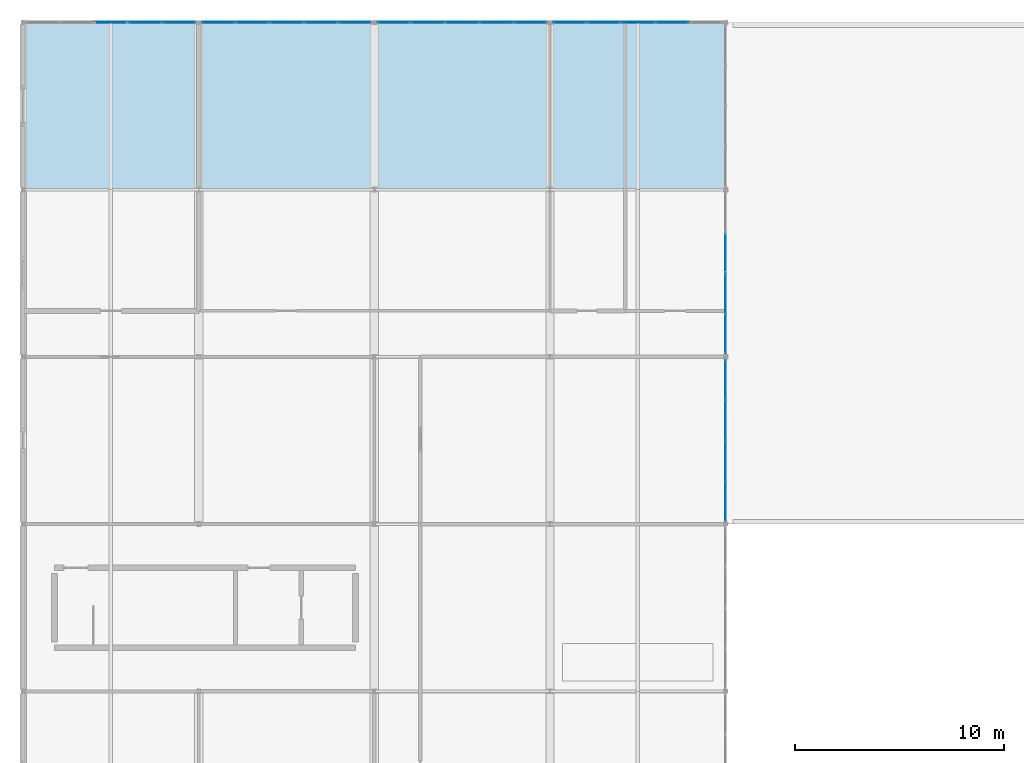
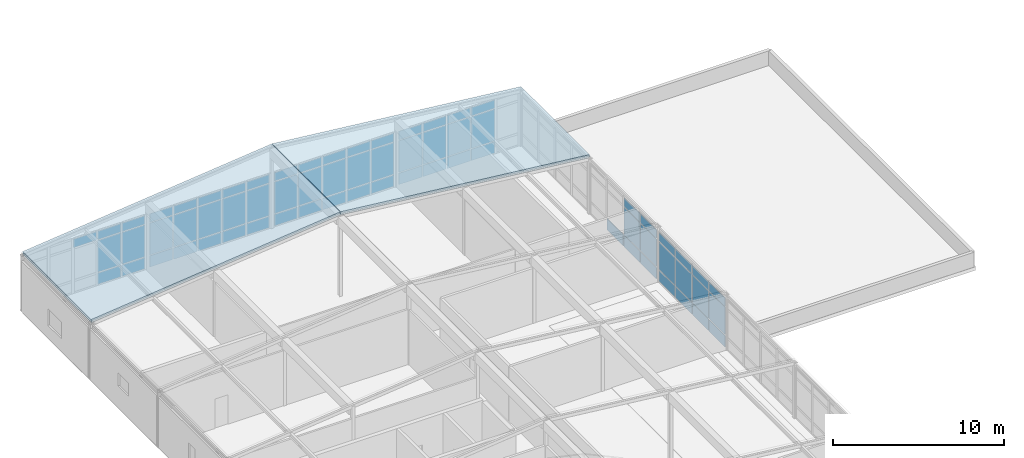
# One storey, part 16 of 25: 68 plates, 2 slabs, 6 elements without a shape of their own.
"""IFC4 building model written with IfcOpenShell, lengths in metres."""

from ifc_helpers import new_model, si_unit, direction, frame, origin, origin_2d, place, context, subcontext, project, spatial, polyline, rectangle, outline, extrude, material, layer, layer_set, type_object, element, aggregate, save


model = new_model("IFC4")

# Units and contexts
model_context = context("Model", 3, precision=1e-05, world=origin(), true_north=direction((0.0, 1.0)))
body_context = subcontext(model_context, "Body", "Model", "MODEL_VIEW")
ifc_project = project(units=[si_unit("LENGTHUNIT", "METRE"), si_unit("AREAUNIT", "SQUARE_METRE"), si_unit("VOLUMEUNIT", "CUBIC_METRE"), si_unit("PLANEANGLEUNIT", "RADIAN"), si_unit("MASSUNIT", "GRAM", prefix="KILO")], contexts=[model_context])

# Site, building, storey
site_placement = place(None, origin())
site = spatial("IfcSite", under=ifc_project, at=site_placement, CompositionType="ELEMENT")
building_placement = place(site_placement, origin())
building = spatial("IfcBuilding", under=site, at=building_placement, Name="Kranzveld Transit Interchange", CompositionType="ELEMENT")
storey_placement = place(building_placement, frame((0.0, 0.0, 21.0400390625)))
storey = spatial("IfcBuildingStorey", under=building, at=storey_placement, Name="L05", CompositionType="ELEMENT", Elevation=21.0400390625)

# Slabs
ifc_material_1 = material(Name="Concrete C35/45", Category="concrete")
ifc_layer_1 = layer(ifc_material_1, 0.239990234375)
ifc_layer_set_1 = layer_set([ifc_layer_1], Name="Concrete C35/45")
slab_type = type_object("IfcSlabType", Name="Crown Concrete Roof Slab 240 C35/45", PredefinedType="ROOF", material=ifc_layer_set_1)
slab_1_placement = place(storey_placement, frame((0.0, 104.0, 4.159912109375), z_axis=(-0.106636790815, 0.0, 0.994298041256), x_axis=(0.994298041256, 0.0, 0.106636790815)))
element("IfcSlab", 1, at=slab_1_placement, inside=storey, type_object=slab_type, Name="L05 Vaulted Crown Roof Facet P-Q W", PredefinedType="ROOF", context=body_context, shape_type="SweptSolid", body=[
    extrude(outline(polyline([(0.0, 0.0), (16.880185669159225, 0.0), (16.880185669159225, 8.000000000000002), (0.0, 8.000000000000002), (0.0, 0.0)])), origin(), (0.0, 0.0, -1.0), 0.239990234375),
])
slab_2_placement = place(storey_placement, frame((16.81591796875, 104.0, 5.9599609375), z_axis=(0.106635257328, 0.0, 0.994298205718), x_axis=(0.994298205718, 0.0, -0.106635257328)))
element("IfcSlab", 2, at=slab_2_placement, inside=storey, type_object=slab_type, Name="L05 Vaulted Crown Roof Facet P-Q E", PredefinedType="ROOF", context=body_context, shape_type="SweptSolid", body=[
    extrude(outline(polyline([(0.0, 0.0), (16.880428417724527, 0.0), (16.880428417724527, 8.0), (0.0, 8.0), (0.0, 0.0)])), origin(), (0.0, 0.0, -1.0), 0.239990234375),
])

# Curtain wall, plates
ifc_material_2 = material(Name="Bronze-anodised thermally broken aluminium", Category="aluminium")
ifc_layer_2 = layer(ifc_material_2, 0.18505859375)
ifc_layer_set_2 = layer_set([ifc_layer_2], Name="Bronze-anodised thermally broken aluminium")
curtain_wall_type = type_object("IfcCurtainWallType", Name="Control Crown Observation Facade CW-5", PredefinedType="USERDEFINED", material=ifc_layer_set_2)
curtain_wall_1_placement = place(storey_placement, origin())
curtain_wall_1 = element("IfcCurtainWall", 3, at=curtain_wall_1_placement, inside=storey, type_object=curtain_wall_type, Name="L05 Curtain Wall 05/M-05/N", ObjectType="CURTAIN WALL", PredefinedType="USERDEFINED")
ifc_material_3 = material(Name="Solar-control double glazing", Category="glass")
ifc_layer_3 = layer(ifc_material_3, 0.035888671875)
ifc_layer_set_3 = layer_set([ifc_layer_3], Name="Solar-control double glazing")
plate_type = type_object("IfcPlateType", Name="Curtain Panel Triple Glazing 36", PredefinedType="CURTAIN_PANEL", material=ifc_layer_set_3)
plate_1_placement = place(storey_placement, frame((33.60009765625, 89.08251953125, 0.06494140625), z_axis=(0.0, 0.0, 1.0), x_axis=(0.0, 1.0, 0.0)))
plate_1 = element("IfcPlate", 4, at=plate_1_placement, type_object=plate_type, Name="CW-5 panel 1.1", PredefinedType="CURTAIN_PANEL", context=body_context, shape_type="SweptSolid", body=[
    extrude(rectangle(XDim=1.85498046875, YDim=0.035888671875, at=origin_2d()), origin(), (0.0, 0.0, 1.0), 0.802490234375),
])
plate_2_placement = place(storey_placement, frame((33.60009765625, 89.08251953125, 0.932373046875), z_axis=(0.0, 0.0, 1.0), x_axis=(0.0, 1.0, 0.0)))
plate_2 = element("IfcPlate", 5, at=plate_2_placement, type_object=plate_type, Name="CW-5 panel 1.2", PredefinedType="CURTAIN_PANEL", context=body_context, shape_type="SweptSolid", body=[
    extrude(rectangle(XDim=1.85498046875, YDim=0.035888671875, at=origin_2d()), origin(), (0.0, 0.0, 1.0), 1.955078125),
])
plate_3_placement = place(storey_placement, frame((33.60009765625, 89.08251953125, 2.952392578125), z_axis=(0.0, 0.0, 1.0), x_axis=(0.0, 1.0, 0.0)))
plate_3 = element("IfcPlate", 6, at=plate_3_placement, type_object=plate_type, Name="CW-5 panel 1.3", PredefinedType="CURTAIN_PANEL", context=body_context, shape_type="SweptSolid", body=[
    extrude(rectangle(XDim=1.85498046875, YDim=0.035888671875, at=origin_2d()), origin(), (0.0, 0.0, 1.0), 0.6025390625),
])
plate_4_placement = place(storey_placement, frame((33.60009765625, 91.018798828125, 0.06494140625), z_axis=(0.0, 0.0, 1.0), x_axis=(0.0, 1.0, 0.0)))
plate_4 = element("IfcPlate", 7, at=plate_4_placement, type_object=plate_type, Name="CW-5 panel 2.1", PredefinedType="CURTAIN_PANEL", context=body_context, shape_type="SweptSolid", body=[
    extrude(rectangle(XDim=1.887451171875, YDim=0.035888671875, at=origin_2d()), origin(), (0.0, 0.0, 1.0), 0.802490234375),
])
plate_5_placement = place(storey_placement, frame((33.60009765625, 91.018798828125, 0.932373046875), z_axis=(0.0, 0.0, 1.0), x_axis=(0.0, 1.0, 0.0)))
plate_5 = element("IfcPlate", 8, at=plate_5_placement, type_object=plate_type, Name="CW-5 panel 2.2", PredefinedType="CURTAIN_PANEL", context=body_context, shape_type="SweptSolid", body=[
    extrude(rectangle(XDim=1.887451171875, YDim=0.035888671875, at=origin_2d()), origin(), (0.0, 0.0, 1.0), 1.955078125),
])
plate_6_placement = place(storey_placement, frame((33.60009765625, 91.018798828125, 2.952392578125), z_axis=(0.0, 0.0, 1.0), x_axis=(0.0, 1.0, 0.0)))
plate_6 = element("IfcPlate", 9, at=plate_6_placement, type_object=plate_type, Name="CW-5 panel 2.3", PredefinedType="CURTAIN_PANEL", context=body_context, shape_type="SweptSolid", body=[
    extrude(rectangle(XDim=1.887451171875, YDim=0.035888671875, at=origin_2d()), origin(), (0.0, 0.0, 1.0), 0.6025390625),
])
plate_7_placement = place(storey_placement, frame((33.60009765625, 92.97119140625, 0.06494140625), z_axis=(0.0, 0.0, 1.0), x_axis=(0.0, 1.0, 0.0)))
plate_7 = element("IfcPlate", 10, at=plate_7_placement, type_object=plate_type, Name="CW-5 panel 3.1", PredefinedType="CURTAIN_PANEL", context=body_context, shape_type="SweptSolid", body=[
    extrude(rectangle(XDim=1.887451171875, YDim=0.035888671875, at=origin_2d()), origin(), (0.0, 0.0, 1.0), 0.802490234375),
])
plate_8_placement = place(storey_placement, frame((33.60009765625, 92.97119140625, 0.932373046875), z_axis=(0.0, 0.0, 1.0), x_axis=(0.0, 1.0, 0.0)))
plate_8 = element("IfcPlate", 11, at=plate_8_placement, type_object=plate_type, Name="CW-5 panel 3.2", PredefinedType="CURTAIN_PANEL", context=body_context, shape_type="SweptSolid", body=[
    extrude(rectangle(XDim=1.887451171875, YDim=0.035888671875, at=origin_2d()), origin(), (0.0, 0.0, 1.0), 1.955078125),
])
plate_9_placement = place(storey_placement, frame((33.60009765625, 92.97119140625, 2.952392578125), z_axis=(0.0, 0.0, 1.0), x_axis=(0.0, 1.0, 0.0)))
plate_9 = element("IfcPlate", 12, at=plate_9_placement, type_object=plate_type, Name="CW-5 panel 3.3", PredefinedType="CURTAIN_PANEL", context=body_context, shape_type="SweptSolid", body=[
    extrude(rectangle(XDim=1.887451171875, YDim=0.035888671875, at=origin_2d()), origin(), (0.0, 0.0, 1.0), 0.6025390625),
])
plate_10_placement = place(storey_placement, frame((33.60009765625, 94.907470703125, 0.06494140625), z_axis=(0.0, 0.0, 1.0), x_axis=(0.0, 1.0, 0.0)))
plate_10 = element("IfcPlate", 13, at=plate_10_placement, type_object=plate_type, Name="CW-5 panel 4.1", PredefinedType="CURTAIN_PANEL", context=body_context, shape_type="SweptSolid", body=[
    extrude(rectangle(XDim=1.85498046875, YDim=0.035888671875, at=origin_2d()), origin(), (0.0, 0.0, 1.0), 0.802490234375),
])
plate_11_placement = place(storey_placement, frame((33.60009765625, 94.907470703125, 0.932373046875), z_axis=(0.0, 0.0, 1.0), x_axis=(0.0, 1.0, 0.0)))
plate_11 = element("IfcPlate", 14, at=plate_11_placement, type_object=plate_type, Name="CW-5 panel 4.2", PredefinedType="CURTAIN_PANEL", context=body_context, shape_type="SweptSolid", body=[
    extrude(rectangle(XDim=1.85498046875, YDim=0.035888671875, at=origin_2d()), origin(), (0.0, 0.0, 1.0), 1.955078125),
])
plate_12_placement = place(storey_placement, frame((33.60009765625, 94.907470703125, 2.952392578125), z_axis=(0.0, 0.0, 1.0), x_axis=(0.0, 1.0, 0.0)))
plate_12 = element("IfcPlate", 15, at=plate_12_placement, type_object=plate_type, Name="CW-5 panel 4.3", PredefinedType="CURTAIN_PANEL", context=body_context, shape_type="SweptSolid", body=[
    extrude(rectangle(XDim=1.85498046875, YDim=0.035888671875, at=origin_2d()), origin(), (0.0, 0.0, 1.0), 0.6025390625),
])
aggregate(curtain_wall_1, [plate_1, plate_2, plate_3, plate_4, plate_5, plate_6, plate_7, plate_8, plate_9, plate_10, plate_11, plate_12])

curtain_wall_2_placement = place(storey_placement, origin())
curtain_wall_2 = element("IfcCurtainWall", 16, at=curtain_wall_2_placement, inside=storey, type_object=curtain_wall_type, Name="L05 Curtain Wall 05/N-05/P", ObjectType="CURTAIN WALL", PredefinedType="USERDEFINED")
plate_13_placement = place(storey_placement, frame((33.60009765625, 97.09130859375, 0.06494140625), z_axis=(0.0, 0.0, 1.0), x_axis=(0.0, 1.0, 0.0)))
plate_13 = element("IfcPlate", 17, at=plate_13_placement, type_object=plate_type, Name="CW-5 panel 1.1", PredefinedType="CURTAIN_PANEL", context=body_context, shape_type="SweptSolid", body=[
    extrude(rectangle(XDim=1.8525390625, YDim=0.035888671875, at=origin_2d()), origin(), (0.0, 0.0, 1.0), 0.802490234375),
])
plate_14_placement = place(storey_placement, frame((33.60009765625, 97.09130859375, 0.932373046875), z_axis=(0.0, 0.0, 1.0), x_axis=(0.0, 1.0, 0.0)))
plate_14 = element("IfcPlate", 18, at=plate_14_placement, type_object=plate_type, Name="CW-5 panel 1.2", PredefinedType="CURTAIN_PANEL", context=body_context, shape_type="SweptSolid", body=[
    extrude(rectangle(XDim=1.8525390625, YDim=0.035888671875, at=origin_2d()), origin(), (0.0, 0.0, 1.0), 1.955078125),
])
plate_15_placement = place(storey_placement, frame((33.60009765625, 97.09130859375, 2.952392578125), z_axis=(0.0, 0.0, 1.0), x_axis=(0.0, 1.0, 0.0)))
plate_15 = element("IfcPlate", 19, at=plate_15_placement, type_object=plate_type, Name="CW-5 panel 1.3", PredefinedType="CURTAIN_PANEL", context=body_context, shape_type="SweptSolid", body=[
    extrude(rectangle(XDim=1.8525390625, YDim=0.035888671875, at=origin_2d()), origin(), (0.0, 0.0, 1.0), 0.6025390625),
])
plate_16_placement = place(storey_placement, frame((33.60009765625, 99.02490234375, 0.06494140625), z_axis=(0.0, 0.0, 1.0), x_axis=(0.0, 1.0, 0.0)))
plate_16 = element("IfcPlate", 20, at=plate_16_placement, type_object=plate_type, Name="CW-5 panel 2.1", PredefinedType="CURTAIN_PANEL", context=body_context, shape_type="SweptSolid", body=[
    extrude(rectangle(XDim=1.885009765625, YDim=0.035888671875, at=origin_2d()), origin(), (0.0, 0.0, 1.0), 0.802490234375),
])
plate_17_placement = place(storey_placement, frame((33.60009765625, 99.02490234375, 0.932373046875), z_axis=(0.0, 0.0, 1.0), x_axis=(0.0, 1.0, 0.0)))
plate_17 = element("IfcPlate", 21, at=plate_17_placement, type_object=plate_type, Name="CW-5 panel 2.2", PredefinedType="CURTAIN_PANEL", context=body_context, shape_type="SweptSolid", body=[
    extrude(rectangle(XDim=1.885009765625, YDim=0.035888671875, at=origin_2d()), origin(), (0.0, 0.0, 1.0), 1.955078125),
])
plate_18_placement = place(storey_placement, frame((33.60009765625, 99.02490234375, 2.952392578125), z_axis=(0.0, 0.0, 1.0), x_axis=(0.0, 1.0, 0.0)))
plate_18 = element("IfcPlate", 22, at=plate_18_placement, type_object=plate_type, Name="CW-5 panel 2.3", PredefinedType="CURTAIN_PANEL", context=body_context, shape_type="SweptSolid", body=[
    extrude(rectangle(XDim=1.885009765625, YDim=0.035888671875, at=origin_2d()), origin(), (0.0, 0.0, 1.0), 0.6025390625),
])
plate_19_placement = place(storey_placement, frame((33.60009765625, 100.97509765625, 0.06494140625), z_axis=(0.0, 0.0, 1.0), x_axis=(0.0, 1.0, 0.0)))
plate_19 = element("IfcPlate", 23, at=plate_19_placement, type_object=plate_type, Name="CW-5 panel 3.1", PredefinedType="CURTAIN_PANEL", context=body_context, shape_type="SweptSolid", body=[
    extrude(rectangle(XDim=1.885009765625, YDim=0.035888671875, at=origin_2d()), origin(), (0.0, 0.0, 1.0), 0.802490234375),
])
aggregate(curtain_wall_2, [plate_13, plate_14, plate_15, plate_16, plate_17, plate_18, plate_19])

curtain_wall_3_placement = place(storey_placement, origin())
curtain_wall_3 = element("IfcCurtainWall", 24, at=curtain_wall_3_placement, inside=storey, type_object=curtain_wall_type, Name="L05 Curtain Wall 01/Q-02/Q", ObjectType="CURTAIN WALL", PredefinedType="USERDEFINED")
plate_20_placement = place(storey_placement, frame((4.19921875, 112.0, 3.25244140625), z_axis=(0.0, 0.0, 1.0), x_axis=(1.0, 0.0, 0.0)))
plate_20 = element("IfcPlate", 25, at=plate_20_placement, type_object=plate_type, Name="CW-5 panel 3.3", PredefinedType="CURTAIN_PANEL", context=body_context, shape_type="SweptSolid", body=[
    extrude(rectangle(XDim=1.57470703125, YDim=0.035888671875, at=origin_2d()), origin(), (0.0, 0.0, 1.0), 0.6025390625),
])
plate_21_placement = place(storey_placement, frame((5.838623046875, 112.0, 0.06494140625), z_axis=(0.0, 0.0, 1.0), x_axis=(1.0, 0.0, 0.0)))
plate_21 = element("IfcPlate", 26, at=plate_21_placement, type_object=plate_type, Name="CW-5 panel 4.1", PredefinedType="CURTAIN_PANEL", context=body_context, shape_type="SweptSolid", body=[
    extrude(rectangle(XDim=1.57470703125, YDim=0.035888671875, at=origin_2d()), origin(), (0.0, 0.0, 1.0), 0.802490234375),
])
plate_22_placement = place(storey_placement, frame((5.838623046875, 112.0, 0.9326171875), z_axis=(0.0, 0.0, 1.0), x_axis=(1.0, 0.0, 0.0)))
plate_22 = element("IfcPlate", 27, at=plate_22_placement, type_object=plate_type, Name="CW-5 panel 4.2", PredefinedType="CURTAIN_PANEL", context=body_context, shape_type="SweptSolid", body=[
    extrude(rectangle(XDim=1.57470703125, YDim=0.035888671875, at=origin_2d()), origin(), (0.0, 0.0, 1.0), 2.2548828125),
])
plate_23_placement = place(storey_placement, frame((5.838623046875, 112.0, 3.25244140625), z_axis=(0.0, 0.0, 1.0), x_axis=(1.0, 0.0, 0.0)))
plate_23 = element("IfcPlate", 28, at=plate_23_placement, type_object=plate_type, Name="CW-5 panel 4.3", PredefinedType="CURTAIN_PANEL", context=body_context, shape_type="SweptSolid", body=[
    extrude(rectangle(XDim=1.57470703125, YDim=0.035888671875, at=origin_2d()), origin(), (0.0, 0.0, 1.0), 0.6025390625),
])
plate_24_placement = place(storey_placement, frame((7.462158203125, 112.0, 0.06494140625), z_axis=(0.0, 0.0, 1.0), x_axis=(1.0, 0.0, 0.0)))
plate_24 = element("IfcPlate", 29, at=plate_24_placement, type_object=plate_type, Name="CW-5 panel 5.1", PredefinedType="CURTAIN_PANEL", context=body_context, shape_type="SweptSolid", body=[
    extrude(rectangle(XDim=1.542236328125, YDim=0.035888671875, at=origin_2d()), origin(), (0.0, 0.0, 1.0), 0.802490234375),
])
plate_25_placement = place(storey_placement, frame((7.462158203125, 112.0, 0.9326171875), z_axis=(0.0, 0.0, 1.0), x_axis=(1.0, 0.0, 0.0)))
plate_25 = element("IfcPlate", 30, at=plate_25_placement, type_object=plate_type, Name="CW-5 panel 5.2", PredefinedType="CURTAIN_PANEL", context=body_context, shape_type="SweptSolid", body=[
    extrude(rectangle(XDim=1.542236328125, YDim=0.035888671875, at=origin_2d()), origin(), (0.0, 0.0, 1.0), 2.2548828125),
])
plate_26_placement = place(storey_placement, frame((7.462158203125, 112.0, 3.25244140625), z_axis=(0.0, 0.0, 1.0), x_axis=(1.0, 0.0, 0.0)))
plate_26 = element("IfcPlate", 31, at=plate_26_placement, type_object=plate_type, Name="CW-5 panel 5.3", PredefinedType="CURTAIN_PANEL", context=body_context, shape_type="SweptSolid", body=[
    extrude(rectangle(XDim=1.542236328125, YDim=0.035888671875, at=origin_2d()), origin(), (0.0, 0.0, 1.0), 0.6025390625),
])
aggregate(curtain_wall_3, [plate_20, plate_21, plate_22, plate_23, plate_24, plate_25, plate_26])

curtain_wall_4_placement = place(storey_placement, origin())
curtain_wall_4 = element("IfcCurtainWall", 32, at=curtain_wall_4_placement, inside=storey, type_object=curtain_wall_type, Name="L05 Curtain Wall 02/Q-03/Q", ObjectType="CURTAIN WALL", PredefinedType="USERDEFINED")
plate_27_placement = place(storey_placement, frame((9.337646484375, 112.0, 0.06494140625), z_axis=(0.0, 0.0, 1.0), x_axis=(1.0, 0.0, 0.0)))
plate_27 = element("IfcPlate", 33, at=plate_27_placement, type_object=plate_type, Name="CW-5 panel 1.1", PredefinedType="CURTAIN_PANEL", context=body_context, shape_type="SweptSolid", body=[
    extrude(rectangle(XDim=1.541748046875, YDim=0.035888671875, at=origin_2d()), origin(), (0.0, 0.0, 1.0), 0.802490234375),
])
plate_28_placement = place(storey_placement, frame((9.337646484375, 112.0, 0.9326171875), z_axis=(0.0, 0.0, 1.0), x_axis=(1.0, 0.0, 0.0)))
plate_28 = element("IfcPlate", 34, at=plate_28_placement, type_object=plate_type, Name="CW-5 panel 1.2", PredefinedType="CURTAIN_PANEL", context=body_context, shape_type="SweptSolid", body=[
    extrude(rectangle(XDim=1.541748046875, YDim=0.035888671875, at=origin_2d()), origin(), (0.0, 0.0, 1.0), 2.2548828125),
])
plate_29_placement = place(storey_placement, frame((9.337646484375, 112.0, 3.25244140625), z_axis=(0.0, 0.0, 1.0), x_axis=(1.0, 0.0, 0.0)))
plate_29 = element("IfcPlate", 35, at=plate_29_placement, type_object=plate_type, Name="CW-5 panel 1.3", PredefinedType="CURTAIN_PANEL", context=body_context, shape_type="SweptSolid", body=[
    extrude(rectangle(XDim=1.541748046875, YDim=0.035888671875, at=origin_2d()), origin(), (0.0, 0.0, 1.0), 0.6025390625),
])
plate_30_placement = place(storey_placement, frame((10.960693359375, 112.0, 0.06494140625), z_axis=(0.0, 0.0, 1.0), x_axis=(1.0, 0.0, 0.0)))
plate_30 = element("IfcPlate", 36, at=plate_30_placement, type_object=plate_type, Name="CW-5 panel 2.1", PredefinedType="CURTAIN_PANEL", context=body_context, shape_type="SweptSolid", body=[
    extrude(rectangle(XDim=1.57421875, YDim=0.035888671875, at=origin_2d()), origin(), (0.0, 0.0, 1.0), 0.802490234375),
])
plate_31_placement = place(storey_placement, frame((10.960693359375, 112.0, 0.9326171875), z_axis=(0.0, 0.0, 1.0), x_axis=(1.0, 0.0, 0.0)))
plate_31 = element("IfcPlate", 37, at=plate_31_placement, type_object=plate_type, Name="CW-5 panel 2.2", PredefinedType="CURTAIN_PANEL", context=body_context, shape_type="SweptSolid", body=[
    extrude(rectangle(XDim=1.57421875, YDim=0.035888671875, at=origin_2d()), origin(), (0.0, 0.0, 1.0), 2.2548828125),
])
plate_32_placement = place(storey_placement, frame((10.960693359375, 112.0, 3.25244140625), z_axis=(0.0, 0.0, 1.0), x_axis=(1.0, 0.0, 0.0)))
plate_32 = element("IfcPlate", 38, at=plate_32_placement, type_object=plate_type, Name="CW-5 panel 2.3", PredefinedType="CURTAIN_PANEL", context=body_context, shape_type="SweptSolid", body=[
    extrude(rectangle(XDim=1.57421875, YDim=0.035888671875, at=origin_2d()), origin(), (0.0, 0.0, 1.0), 0.6025390625),
])
plate_33_placement = place(storey_placement, frame((12.60009765625, 112.0, 0.06494140625), z_axis=(0.0, 0.0, 1.0), x_axis=(1.0, 0.0, 0.0)))
plate_33 = element("IfcPlate", 39, at=plate_33_placement, type_object=plate_type, Name="CW-5 panel 3.1", PredefinedType="CURTAIN_PANEL", context=body_context, shape_type="SweptSolid", body=[
    extrude(rectangle(XDim=1.57421875, YDim=0.035888671875, at=origin_2d()), origin(), (0.0, 0.0, 1.0), 0.802490234375),
])
plate_34_placement = place(storey_placement, frame((12.60009765625, 112.0, 0.9326171875), z_axis=(0.0, 0.0, 1.0), x_axis=(1.0, 0.0, 0.0)))
plate_34 = element("IfcPlate", 40, at=plate_34_placement, type_object=plate_type, Name="CW-5 panel 3.2", PredefinedType="CURTAIN_PANEL", context=body_context, shape_type="SweptSolid", body=[
    extrude(rectangle(XDim=1.57421875, YDim=0.035888671875, at=origin_2d()), origin(), (0.0, 0.0, 1.0), 2.2548828125),
])
plate_35_placement = place(storey_placement, frame((12.60009765625, 112.0, 3.25244140625), z_axis=(0.0, 0.0, 1.0), x_axis=(1.0, 0.0, 0.0)))
plate_35 = element("IfcPlate", 41, at=plate_35_placement, type_object=plate_type, Name="CW-5 panel 3.3", PredefinedType="CURTAIN_PANEL", context=body_context, shape_type="SweptSolid", body=[
    extrude(rectangle(XDim=1.57421875, YDim=0.035888671875, at=origin_2d()), origin(), (0.0, 0.0, 1.0), 0.6025390625),
])
plate_36_placement = place(storey_placement, frame((14.2392578125, 112.0, 0.06494140625), z_axis=(0.0, 0.0, 1.0), x_axis=(1.0, 0.0, 0.0)))
plate_36 = element("IfcPlate", 42, at=plate_36_placement, type_object=plate_type, Name="CW-5 panel 4.1", PredefinedType="CURTAIN_PANEL", context=body_context, shape_type="SweptSolid", body=[
    extrude(rectangle(XDim=1.57421875, YDim=0.035888671875, at=origin_2d()), origin(), (0.0, 0.0, 1.0), 0.802490234375),
])
plate_37_placement = place(storey_placement, frame((14.2392578125, 112.0, 0.9326171875), z_axis=(0.0, 0.0, 1.0), x_axis=(1.0, 0.0, 0.0)))
plate_37 = element("IfcPlate", 43, at=plate_37_placement, type_object=plate_type, Name="CW-5 panel 4.2", PredefinedType="CURTAIN_PANEL", context=body_context, shape_type="SweptSolid", body=[
    extrude(rectangle(XDim=1.57421875, YDim=0.035888671875, at=origin_2d()), origin(), (0.0, 0.0, 1.0), 2.2548828125),
])
plate_38_placement = place(storey_placement, frame((14.2392578125, 112.0, 3.25244140625), z_axis=(0.0, 0.0, 1.0), x_axis=(1.0, 0.0, 0.0)))
plate_38 = element("IfcPlate", 44, at=plate_38_placement, type_object=plate_type, Name="CW-5 panel 4.3", PredefinedType="CURTAIN_PANEL", context=body_context, shape_type="SweptSolid", body=[
    extrude(rectangle(XDim=1.57421875, YDim=0.035888671875, at=origin_2d()), origin(), (0.0, 0.0, 1.0), 0.6025390625),
])
plate_39_placement = place(storey_placement, frame((15.8623046875, 112.0, 0.06494140625), z_axis=(0.0, 0.0, 1.0), x_axis=(1.0, 0.0, 0.0)))
plate_39 = element("IfcPlate", 45, at=plate_39_placement, type_object=plate_type, Name="CW-5 panel 5.1", PredefinedType="CURTAIN_PANEL", context=body_context, shape_type="SweptSolid", body=[
    extrude(rectangle(XDim=1.541748046875, YDim=0.035888671875, at=origin_2d()), origin(), (0.0, 0.0, 1.0), 0.802490234375),
])
plate_40_placement = place(storey_placement, frame((15.8623046875, 112.0, 0.9326171875), z_axis=(0.0, 0.0, 1.0), x_axis=(1.0, 0.0, 0.0)))
plate_40 = element("IfcPlate", 46, at=plate_40_placement, type_object=plate_type, Name="CW-5 panel 5.2", PredefinedType="CURTAIN_PANEL", context=body_context, shape_type="SweptSolid", body=[
    extrude(rectangle(XDim=1.541748046875, YDim=0.035888671875, at=origin_2d()), origin(), (0.0, 0.0, 1.0), 2.2548828125),
])
plate_41_placement = place(storey_placement, frame((15.8623046875, 112.0, 3.25244140625), z_axis=(0.0, 0.0, 1.0), x_axis=(1.0, 0.0, 0.0)))
plate_41 = element("IfcPlate", 47, at=plate_41_placement, type_object=plate_type, Name="CW-5 panel 5.3", PredefinedType="CURTAIN_PANEL", context=body_context, shape_type="SweptSolid", body=[
    extrude(rectangle(XDim=1.541748046875, YDim=0.035888671875, at=origin_2d()), origin(), (0.0, 0.0, 1.0), 0.6025390625),
])
aggregate(curtain_wall_4, [plate_27, plate_28, plate_29, plate_30, plate_31, plate_32, plate_33, plate_34, plate_35, plate_36, plate_37, plate_38, plate_39, plate_40, plate_41])

curtain_wall_5_placement = place(storey_placement, origin())
curtain_wall_5 = element("IfcCurtainWall", 48, at=curtain_wall_5_placement, inside=storey, type_object=curtain_wall_type, Name="L05 Curtain Wall 03/Q-04/Q", ObjectType="CURTAIN WALL", PredefinedType="USERDEFINED")
plate_42_placement = place(storey_placement, frame((17.73779296875, 112.0, 0.06494140625), z_axis=(0.0, 0.0, 1.0), x_axis=(1.0, 0.0, 0.0)))
plate_42 = element("IfcPlate", 49, at=plate_42_placement, type_object=plate_type, Name="CW-5 panel 1.1", PredefinedType="CURTAIN_PANEL", context=body_context, shape_type="SweptSolid", body=[
    extrude(rectangle(XDim=1.541748046875, YDim=0.035888671875, at=origin_2d()), origin(), (0.0, 0.0, 1.0), 0.802490234375),
])
plate_43_placement = place(storey_placement, frame((17.73779296875, 112.0, 0.9326171875), z_axis=(0.0, 0.0, 1.0), x_axis=(1.0, 0.0, 0.0)))
plate_43 = element("IfcPlate", 50, at=plate_43_placement, type_object=plate_type, Name="CW-5 panel 1.2", PredefinedType="CURTAIN_PANEL", context=body_context, shape_type="SweptSolid", body=[
    extrude(rectangle(XDim=1.541748046875, YDim=0.035888671875, at=origin_2d()), origin(), (0.0, 0.0, 1.0), 2.2548828125),
])
plate_44_placement = place(storey_placement, frame((17.73779296875, 112.0, 3.25244140625), z_axis=(0.0, 0.0, 1.0), x_axis=(1.0, 0.0, 0.0)))
plate_44 = element("IfcPlate", 51, at=plate_44_placement, type_object=plate_type, Name="CW-5 panel 1.3", PredefinedType="CURTAIN_PANEL", context=body_context, shape_type="SweptSolid", body=[
    extrude(rectangle(XDim=1.541748046875, YDim=0.035888671875, at=origin_2d()), origin(), (0.0, 0.0, 1.0), 0.6025390625),
])
plate_45_placement = place(storey_placement, frame((19.36083984375, 112.0, 0.06494140625), z_axis=(0.0, 0.0, 1.0), x_axis=(1.0, 0.0, 0.0)))
plate_45 = element("IfcPlate", 52, at=plate_45_placement, type_object=plate_type, Name="CW-5 panel 2.1", PredefinedType="CURTAIN_PANEL", context=body_context, shape_type="SweptSolid", body=[
    extrude(rectangle(XDim=1.57421875, YDim=0.035888671875, at=origin_2d()), origin(), (0.0, 0.0, 1.0), 0.802490234375),
])
plate_46_placement = place(storey_placement, frame((19.36083984375, 112.0, 0.9326171875), z_axis=(0.0, 0.0, 1.0), x_axis=(1.0, 0.0, 0.0)))
plate_46 = element("IfcPlate", 53, at=plate_46_placement, type_object=plate_type, Name="CW-5 panel 2.2", PredefinedType="CURTAIN_PANEL", context=body_context, shape_type="SweptSolid", body=[
    extrude(rectangle(XDim=1.57421875, YDim=0.035888671875, at=origin_2d()), origin(), (0.0, 0.0, 1.0), 2.2548828125),
])
plate_47_placement = place(storey_placement, frame((19.36083984375, 112.0, 3.25244140625), z_axis=(0.0, 0.0, 1.0), x_axis=(1.0, 0.0, 0.0)))
plate_47 = element("IfcPlate", 54, at=plate_47_placement, type_object=plate_type, Name="CW-5 panel 2.3", PredefinedType="CURTAIN_PANEL", context=body_context, shape_type="SweptSolid", body=[
    extrude(rectangle(XDim=1.57421875, YDim=0.035888671875, at=origin_2d()), origin(), (0.0, 0.0, 1.0), 0.6025390625),
])
plate_48_placement = place(storey_placement, frame((21.0, 112.0, 0.06494140625), z_axis=(0.0, 0.0, 1.0), x_axis=(1.0, 0.0, 0.0)))
plate_48 = element("IfcPlate", 55, at=plate_48_placement, type_object=plate_type, Name="CW-5 panel 3.1", PredefinedType="CURTAIN_PANEL", context=body_context, shape_type="SweptSolid", body=[
    extrude(rectangle(XDim=1.57421875, YDim=0.035888671875, at=origin_2d()), origin(), (0.0, 0.0, 1.0), 0.802490234375),
])
plate_49_placement = place(storey_placement, frame((21.0, 112.0, 0.9326171875), z_axis=(0.0, 0.0, 1.0), x_axis=(1.0, 0.0, 0.0)))
plate_49 = element("IfcPlate", 56, at=plate_49_placement, type_object=plate_type, Name="CW-5 panel 3.2", PredefinedType="CURTAIN_PANEL", context=body_context, shape_type="SweptSolid", body=[
    extrude(rectangle(XDim=1.57421875, YDim=0.035888671875, at=origin_2d()), origin(), (0.0, 0.0, 1.0), 2.2548828125),
])
plate_50_placement = place(storey_placement, frame((21.0, 112.0, 3.25244140625), z_axis=(0.0, 0.0, 1.0), x_axis=(1.0, 0.0, 0.0)))
plate_50 = element("IfcPlate", 57, at=plate_50_placement, type_object=plate_type, Name="CW-5 panel 3.3", PredefinedType="CURTAIN_PANEL", context=body_context, shape_type="SweptSolid", body=[
    extrude(rectangle(XDim=1.57421875, YDim=0.035888671875, at=origin_2d()), origin(), (0.0, 0.0, 1.0), 0.6025390625),
])
plate_51_placement = place(storey_placement, frame((22.63916015625, 112.0, 0.06494140625), z_axis=(0.0, 0.0, 1.0), x_axis=(1.0, 0.0, 0.0)))
plate_51 = element("IfcPlate", 58, at=plate_51_placement, type_object=plate_type, Name="CW-5 panel 4.1", PredefinedType="CURTAIN_PANEL", context=body_context, shape_type="SweptSolid", body=[
    extrude(rectangle(XDim=1.57421875, YDim=0.035888671875, at=origin_2d()), origin(), (0.0, 0.0, 1.0), 0.802490234375),
])
plate_52_placement = place(storey_placement, frame((22.63916015625, 112.0, 0.9326171875), z_axis=(0.0, 0.0, 1.0), x_axis=(1.0, 0.0, 0.0)))
plate_52 = element("IfcPlate", 59, at=plate_52_placement, type_object=plate_type, Name="CW-5 panel 4.2", PredefinedType="CURTAIN_PANEL", context=body_context, shape_type="SweptSolid", body=[
    extrude(rectangle(XDim=1.57421875, YDim=0.035888671875, at=origin_2d()), origin(), (0.0, 0.0, 1.0), 2.2548828125),
])
plate_53_placement = place(storey_placement, frame((22.63916015625, 112.0, 3.25244140625), z_axis=(0.0, 0.0, 1.0), x_axis=(1.0, 0.0, 0.0)))
plate_53 = element("IfcPlate", 60, at=plate_53_placement, type_object=plate_type, Name="CW-5 panel 4.3", PredefinedType="CURTAIN_PANEL", context=body_context, shape_type="SweptSolid", body=[
    extrude(rectangle(XDim=1.57421875, YDim=0.035888671875, at=origin_2d()), origin(), (0.0, 0.0, 1.0), 0.6025390625),
])
plate_54_placement = place(storey_placement, frame((24.26220703125, 112.0, 0.06494140625), z_axis=(0.0, 0.0, 1.0), x_axis=(1.0, 0.0, 0.0)))
plate_54 = element("IfcPlate", 61, at=plate_54_placement, type_object=plate_type, Name="CW-5 panel 5.1", PredefinedType="CURTAIN_PANEL", context=body_context, shape_type="SweptSolid", body=[
    extrude(rectangle(XDim=1.541748046875, YDim=0.035888671875, at=origin_2d()), origin(), (0.0, 0.0, 1.0), 0.802490234375),
])
plate_55_placement = place(storey_placement, frame((24.26220703125, 112.0, 0.9326171875), z_axis=(0.0, 0.0, 1.0), x_axis=(1.0, 0.0, 0.0)))
plate_55 = element("IfcPlate", 62, at=plate_55_placement, type_object=plate_type, Name="CW-5 panel 5.2", PredefinedType="CURTAIN_PANEL", context=body_context, shape_type="SweptSolid", body=[
    extrude(rectangle(XDim=1.541748046875, YDim=0.035888671875, at=origin_2d()), origin(), (0.0, 0.0, 1.0), 2.2548828125),
])
plate_56_placement = place(storey_placement, frame((24.26220703125, 112.0, 3.25244140625), z_axis=(0.0, 0.0, 1.0), x_axis=(1.0, 0.0, 0.0)))
plate_56 = element("IfcPlate", 63, at=plate_56_placement, type_object=plate_type, Name="CW-5 panel 5.3", PredefinedType="CURTAIN_PANEL", context=body_context, shape_type="SweptSolid", body=[
    extrude(rectangle(XDim=1.541748046875, YDim=0.035888671875, at=origin_2d()), origin(), (0.0, 0.0, 1.0), 0.6025390625),
])
aggregate(curtain_wall_5, [plate_42, plate_43, plate_44, plate_45, plate_46, plate_47, plate_48, plate_49, plate_50, plate_51, plate_52, plate_53, plate_54, plate_55, plate_56])

curtain_wall_6_placement = place(storey_placement, origin())
curtain_wall_6 = element("IfcCurtainWall", 64, at=curtain_wall_6_placement, inside=storey, type_object=curtain_wall_type, Name="L05 Curtain Wall 04/Q-05/Q", ObjectType="CURTAIN WALL", PredefinedType="USERDEFINED")
plate_57_placement = place(storey_placement, frame((26.137939453125, 112.0, 0.06494140625), z_axis=(0.0, 0.0, 1.0), x_axis=(1.0, 0.0, 0.0)))
plate_57 = element("IfcPlate", 65, at=plate_57_placement, type_object=plate_type, Name="CW-5 panel 1.1", PredefinedType="CURTAIN_PANEL", context=body_context, shape_type="SweptSolid", body=[
    extrude(rectangle(XDim=1.542236328125, YDim=0.035888671875, at=origin_2d()), origin(), (0.0, 0.0, 1.0), 0.802490234375),
])
plate_58_placement = place(storey_placement, frame((26.137939453125, 112.0, 0.9326171875), z_axis=(0.0, 0.0, 1.0), x_axis=(1.0, 0.0, 0.0)))
plate_58 = element("IfcPlate", 66, at=plate_58_placement, type_object=plate_type, Name="CW-5 panel 1.2", PredefinedType="CURTAIN_PANEL", context=body_context, shape_type="SweptSolid", body=[
    extrude(rectangle(XDim=1.542236328125, YDim=0.035888671875, at=origin_2d()), origin(), (0.0, 0.0, 1.0), 2.2548828125),
])
plate_59_placement = place(storey_placement, frame((26.137939453125, 112.0, 3.25244140625), z_axis=(0.0, 0.0, 1.0), x_axis=(1.0, 0.0, 0.0)))
plate_59 = element("IfcPlate", 67, at=plate_59_placement, type_object=plate_type, Name="CW-5 panel 1.3", PredefinedType="CURTAIN_PANEL", context=body_context, shape_type="SweptSolid", body=[
    extrude(rectangle(XDim=1.542236328125, YDim=0.035888671875, at=origin_2d()), origin(), (0.0, 0.0, 1.0), 0.6025390625),
])
plate_60_placement = place(storey_placement, frame((27.76123046875, 112.0, 0.06494140625), z_axis=(0.0, 0.0, 1.0), x_axis=(1.0, 0.0, 0.0)))
plate_60 = element("IfcPlate", 68, at=plate_60_placement, type_object=plate_type, Name="CW-5 panel 2.1", PredefinedType="CURTAIN_PANEL", context=body_context, shape_type="SweptSolid", body=[
    extrude(rectangle(XDim=1.57470703125, YDim=0.035888671875, at=origin_2d()), origin(), (0.0, 0.0, 1.0), 0.802490234375),
])
plate_61_placement = place(storey_placement, frame((27.76123046875, 112.0, 0.9326171875), z_axis=(0.0, 0.0, 1.0), x_axis=(1.0, 0.0, 0.0)))
plate_61 = element("IfcPlate", 69, at=plate_61_placement, type_object=plate_type, Name="CW-5 panel 2.2", PredefinedType="CURTAIN_PANEL", context=body_context, shape_type="SweptSolid", body=[
    extrude(rectangle(XDim=1.57470703125, YDim=0.035888671875, at=origin_2d()), origin(), (0.0, 0.0, 1.0), 2.2548828125),
])
plate_62_placement = place(storey_placement, frame((27.76123046875, 112.0, 3.25244140625), z_axis=(0.0, 0.0, 1.0), x_axis=(1.0, 0.0, 0.0)))
plate_62 = element("IfcPlate", 70, at=plate_62_placement, type_object=plate_type, Name="CW-5 panel 2.3", PredefinedType="CURTAIN_PANEL", context=body_context, shape_type="SweptSolid", body=[
    extrude(rectangle(XDim=1.57470703125, YDim=0.035888671875, at=origin_2d()), origin(), (0.0, 0.0, 1.0), 0.6025390625),
])
plate_63_placement = place(storey_placement, frame((29.40087890625, 112.0, 0.06494140625), z_axis=(0.0, 0.0, 1.0), x_axis=(1.0, 0.0, 0.0)))
plate_63 = element("IfcPlate", 71, at=plate_63_placement, type_object=plate_type, Name="CW-5 panel 3.1", PredefinedType="CURTAIN_PANEL", context=body_context, shape_type="SweptSolid", body=[
    extrude(rectangle(XDim=1.57470703125, YDim=0.035888671875, at=origin_2d()), origin(), (0.0, 0.0, 1.0), 0.802490234375),
])
plate_64_placement = place(storey_placement, frame((29.40087890625, 112.0, 0.9326171875), z_axis=(0.0, 0.0, 1.0), x_axis=(1.0, 0.0, 0.0)))
plate_64 = element("IfcPlate", 72, at=plate_64_placement, type_object=plate_type, Name="CW-5 panel 3.2", PredefinedType="CURTAIN_PANEL", context=body_context, shape_type="SweptSolid", body=[
    extrude(rectangle(XDim=1.57470703125, YDim=0.035888671875, at=origin_2d()), origin(), (0.0, 0.0, 1.0), 2.2548828125),
])
plate_65_placement = place(storey_placement, frame((29.40087890625, 112.0, 3.25244140625), z_axis=(0.0, 0.0, 1.0), x_axis=(1.0, 0.0, 0.0)))
plate_65 = element("IfcPlate", 73, at=plate_65_placement, type_object=plate_type, Name="CW-5 panel 3.3", PredefinedType="CURTAIN_PANEL", context=body_context, shape_type="SweptSolid", body=[
    extrude(rectangle(XDim=1.57470703125, YDim=0.035888671875, at=origin_2d()), origin(), (0.0, 0.0, 1.0), 0.6025390625),
])
plate_66_placement = place(storey_placement, frame((31.04052734375, 112.0, 0.06494140625), z_axis=(0.0, 0.0, 1.0), x_axis=(1.0, 0.0, 0.0)))
plate_66 = element("IfcPlate", 74, at=plate_66_placement, type_object=plate_type, Name="CW-5 panel 4.1", PredefinedType="CURTAIN_PANEL", context=body_context, shape_type="SweptSolid", body=[
    extrude(rectangle(XDim=1.57470703125, YDim=0.035888671875, at=origin_2d()), origin(), (0.0, 0.0, 1.0), 0.802490234375),
])
plate_67_placement = place(storey_placement, frame((31.04052734375, 112.0, 0.9326171875), z_axis=(0.0, 0.0, 1.0), x_axis=(1.0, 0.0, 0.0)))
plate_67 = element("IfcPlate", 75, at=plate_67_placement, type_object=plate_type, Name="CW-5 panel 4.2", PredefinedType="CURTAIN_PANEL", context=body_context, shape_type="SweptSolid", body=[
    extrude(rectangle(XDim=1.57470703125, YDim=0.035888671875, at=origin_2d()), origin(), (0.0, 0.0, 1.0), 2.2548828125),
])
plate_68_placement = place(storey_placement, frame((31.04052734375, 112.0, 3.25244140625), z_axis=(0.0, 0.0, 1.0), x_axis=(1.0, 0.0, 0.0)))
plate_68 = element("IfcPlate", 76, at=plate_68_placement, type_object=plate_type, Name="CW-5 panel 4.3", PredefinedType="CURTAIN_PANEL", context=body_context, shape_type="SweptSolid", body=[
    extrude(rectangle(XDim=1.57470703125, YDim=0.035888671875, at=origin_2d()), origin(), (0.0, 0.0, 1.0), 0.6025390625),
])
aggregate(curtain_wall_6, [plate_57, plate_58, plate_59, plate_60, plate_61, plate_62, plate_63, plate_64, plate_65, plate_66, plate_67, plate_68])

save(model, "model.ifc")
